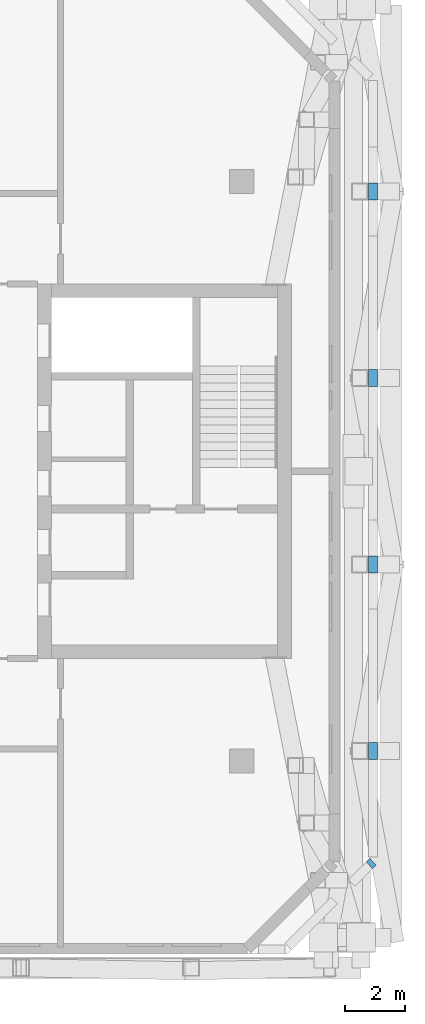
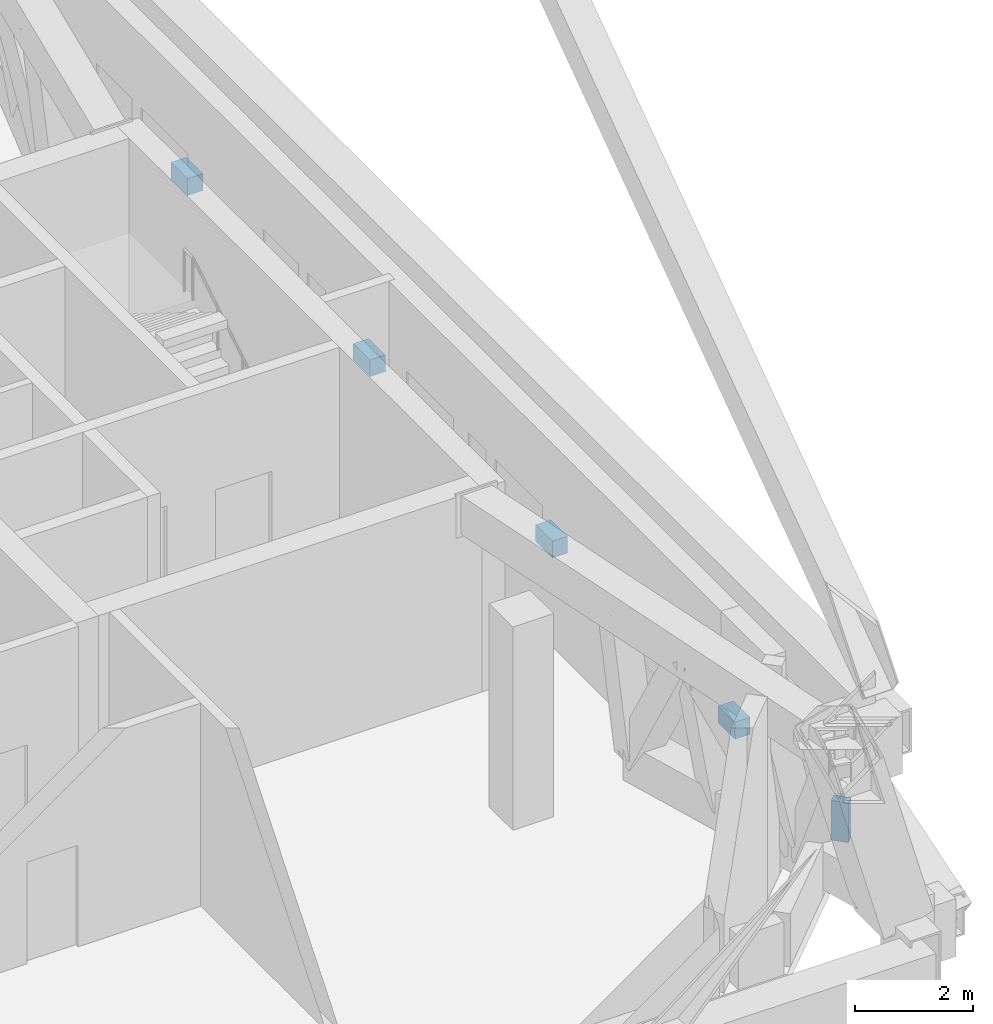
# One storey, part 16 of 20: 5 walls.
"""IFC4 building model written with IfcOpenShell, lengths in metres."""

from ifc_helpers import new_model, si_unit, direction, frame, frame_2d, origin, place, context, subcontext, project, spatial, rectangle, extrude, material, layer, layer_set, type_object, element, save


model = new_model("IFC4")

# Units and contexts
model_context = context("Model", 3, precision=1e-05, world=origin(), true_north=direction((0.0, 1.0)))
body_context = subcontext(model_context, "Body", "Model", "MODEL_VIEW")
ifc_project = project(units=[si_unit("LENGTHUNIT", "METRE"), si_unit("AREAUNIT", "SQUARE_METRE"), si_unit("VOLUMEUNIT", "CUBIC_METRE"), si_unit("PLANEANGLEUNIT", "RADIAN"), si_unit("MASSUNIT", "GRAM", prefix="KILO")], contexts=[model_context])

# Site, building, storey
site_placement = place(None, origin())
site = spatial("IfcSite", under=ifc_project, at=site_placement, CompositionType="ELEMENT")
building_placement = place(site_placement, origin())
building = spatial("IfcBuilding", under=site, at=building_placement, Name="Tuart Gate Housing", CompositionType="ELEMENT")
storey_placement = place(building_placement, frame((0.0, 0.0, 167.10009765625)))
storey = spatial("IfcBuildingStorey", under=building, at=storey_placement, Name="L47", CompositionType="ELEMENT", Elevation=167.10009765625)

# Walls
ifc_material = material(Name="Brick", Category="masonry")
ifc_layer = layer(ifc_material, 0.300048828125)
ifc_layer_set = layer_set([ifc_layer], Name="Brick parapet wall 300")
wall_type = type_object("IfcWallType", Name="Brick parapet wall 300", PredefinedType="PARAPET", material=ifc_layer_set)
wall_1_placement = place(storey_placement, frame((171.2294921875, 56.94189453125, 0.0), z_axis=(0.0, 0.0, 1.0), x_axis=(0.708539617255, 0.705671035809, 0.0)))
element("IfcWall", 1, at=wall_1_placement, inside=storey, type_object=wall_type, Name="Roof parapet B 2", PredefinedType="PARAPET", context=body_context, shape_type="SweptSolid", body=[
    extrude(rectangle(XDim=0.170166015625, YDim=0.300048828125, at=frame_2d((0.0849609375, 0.0))), origin(), (0.0, 0.0, 1.0), 0.82177734375),
])
wall_2_placement = place(storey_placement, frame((171.35009765625, 60.447021484375, 0.0), z_axis=(0.0, 0.0, 1.0), x_axis=(0.0, 1.0, 0.0)))
element("IfcWall", 2, at=wall_2_placement, inside=storey, type_object=wall_type, Name="Roof parapet B 3", PredefinedType="PARAPET", context=body_context, shape_type="SweptSolid", body=[
    extrude(rectangle(XDim=0.56591796875, YDim=0.300048828125, at=frame_2d((0.282958984375, 0.0))), origin(), (0.0, 0.0, 1.0), 0.34716796875),
])
for number, where, z_axis, x_axis, name in (
    (3, (171.35009765625, 66.626953125, 0.0), (0.0, 0.0, 1.0), (0.0, 1.0, 0.0), "Roof parapet B 3"),
    (4, (171.35009765625, 72.806884765625, 0.0), (0.0, 0.0, 1.0), (0.0, 1.0, 0.0), "Roof parapet B 3"),
):
    element("IfcWall", number, at=place(storey_placement, frame(where, z_axis=z_axis, x_axis=x_axis)), inside=storey, type_object=wall_type, Name=name, PredefinedType="PARAPET", context=body_context, shape_type="SweptSolid", body=[
        extrude(rectangle(XDim=0.566162109375, YDim=0.300048828125, at=frame_2d((0.283203125, 0.0))), origin(), (0.0, 0.0, 1.0), 0.34716796875),
    ])
wall_3_placement = place(storey_placement, frame((171.35009765625, 78.987060546875, 0.0), z_axis=(0.0, 0.0, 1.0), x_axis=(0.0, 1.0, 0.0)))
element("IfcWall", 5, at=wall_3_placement, inside=storey, type_object=wall_type, Name="Roof parapet B 3", PredefinedType="PARAPET", context=body_context, shape_type="SweptSolid", body=[
    extrude(rectangle(XDim=0.56591796875, YDim=0.300048828125, at=frame_2d((0.282958984375, 0.0))), origin(), (0.0, 0.0, 1.0), 0.34716796875),
])

save(model, "model.ifc")
